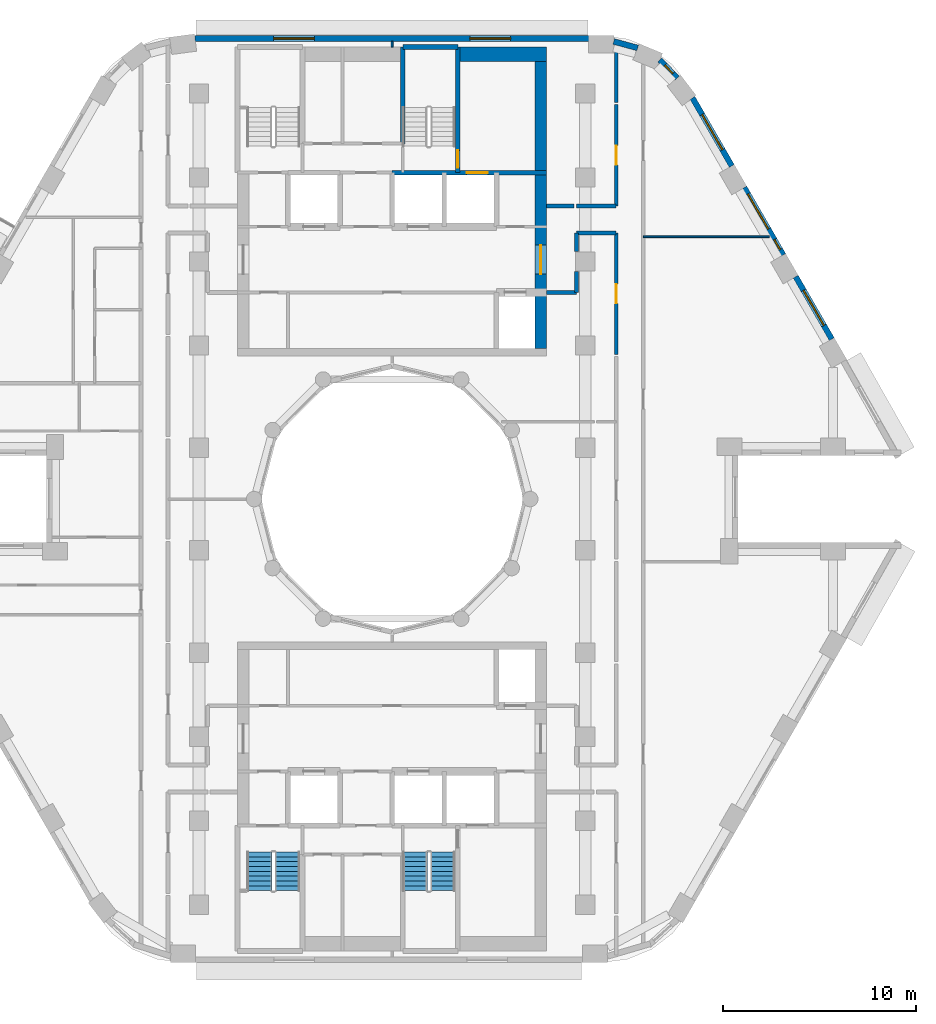
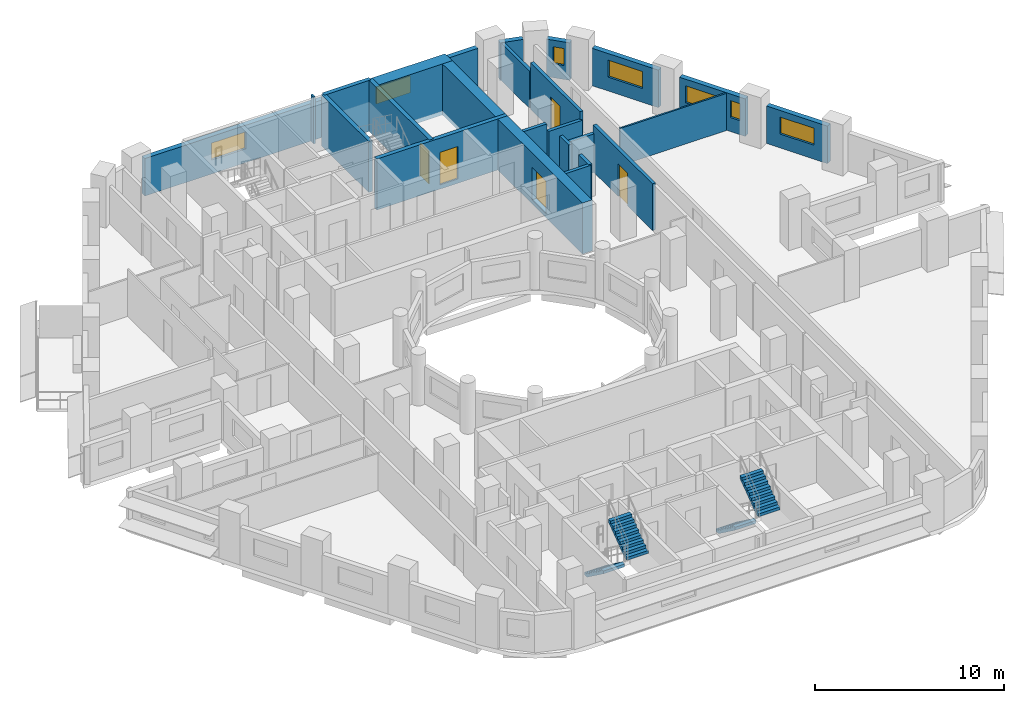
# One storey, part 8 of 13: 23 walls, 7 windows, 5 doors, 4 stair flights, 12 openings, 2 elements without a shape of their own.
"""IFC4 building model written with IfcOpenShell, lengths in metres."""

from ifc_helpers import new_model, si_unit, direction, frame, frame_2d, origin, place, context, subcontext, project, spatial, polyline, rectangle, outline, extrude, material, layer, layer_set, type_object, element, fill, aggregate, save


model = new_model("IFC4")

# Units and contexts
model_context = context("Model", 3, precision=1e-05, world=origin(), true_north=direction((0.0, 1.0)))
body_context = subcontext(model_context, "Body", "Model", "MODEL_VIEW")
ifc_project = project(units=[si_unit("LENGTHUNIT", "METRE"), si_unit("AREAUNIT", "SQUARE_METRE"), si_unit("VOLUMEUNIT", "CUBIC_METRE"), si_unit("PLANEANGLEUNIT", "RADIAN"), si_unit("MASSUNIT", "GRAM", prefix="KILO")], contexts=[model_context])

# Site, building, storey
site_placement = place(None, origin())
site = spatial("IfcSite", under=ifc_project, at=site_placement, CompositionType="ELEMENT")
building_placement = place(site_placement, origin())
building = spatial("IfcBuilding", under=site, at=building_placement, Name="Nakaniwa Court", CompositionType="ELEMENT")
storey_placement = place(building_placement, frame((0.0, 0.0, 130.5)))
storey = spatial("IfcBuildingStorey", under=building, at=storey_placement, Name="L33", CompositionType="ELEMENT", Elevation=130.5)

# Wall, opening, door
ifc_material_1 = material(Name="Acoustic double stud partition")
ifc_layer_1 = layer(ifc_material_1, 0.199951171875)
ifc_layer_set_1 = layer_set([ifc_layer_1], Name="Acoustic double stud partition")
wall_type_1 = type_object("IfcWallType", Name="Acoustic double stud partition 200", PredefinedType="PARTITIONING", material=ifc_layer_set_1)
wall_1_placement = place(storey_placement, frame((91.60009765625, 87.4873046875, 0.0), z_axis=(0.0, 0.0, 1.0), x_axis=(0.0, 1.0, 0.0)))
wall_1 = element("IfcWall", 1, at=wall_1_placement, inside=storey, type_object=wall_type_1, Name="Partition PW-070", PredefinedType="PARTITIONING", context=body_context, shape_type="SweptSolid", body=[
    extrude(rectangle(XDim=6.28759765625, YDim=0.199951171875, at=frame_2d((3.143798828125, 0.0))), origin(), (0.0, 0.0, 1.0), 3.02490234375),
])
opening_1_placement = place(wall_1_placement, frame((2.64501953125, 0.0, 0.0)))
opening_1 = element("IfcOpeningElement", 2, at=opening_1_placement, cuts=wall_1, Name="Opening D-02-11", PredefinedType="OPENING", context=body_context, shape_type="SweptSolid", body=[
    extrude(rectangle(XDim=1.0, YDim=2.10009765625, at=frame_2d((0.5, 1.050048828125))), frame((0.0, 0.10986328125, 0.0), z_axis=(0.0, -1.0, 0.0), x_axis=(1.0, 0.0, 0.0)), (0.0, 0.0, 1.0), 0.219970703125),
])
ifc_material_2 = material(Name="Solid core timber door set, black veneer", Category="wood")
door_type_1 = type_object("IfcDoorType", Name="Internal door 1000", OperationType="NOTDEFINED", PredefinedType="DOOR", material=ifc_material_2)
door_1_placement = place(opening_1_placement, origin())
door_1 = element("IfcDoor", 3, at=door_1_placement, inside=storey, type_object=door_type_1, Name="Door D-02-11 L33-040", OperationType="SINGLE_SWING_LEFT", OverallHeight=2.10009765625, OverallWidth=1.0, PredefinedType="DOOR", context=body_context, shape_type="SweptSolid", body=[
    extrude(rectangle(XDim=1.0, YDim=2.10009765625, at=frame_2d((0.5, 1.050048828125))), frame((0.0, 0.02490234375, 0.0), z_axis=(0.0, -1.0, 0.0), x_axis=(1.0, 0.0, 0.0)), (0.0, 0.0, 1.0), 0.050048828125),
])
fill(opening_1, door_1)

wall_2_placement = place(storey_placement, frame((91.60009765625, 95.175048828125, 0.0), z_axis=(0.0, 0.0, 1.0), x_axis=(0.0, 1.0, 0.0)))
wall_2 = element("IfcWall", 4, at=wall_2_placement, inside=storey, type_object=wall_type_1, Name="Partition PW-071", PredefinedType="PARTITIONING", context=body_context, shape_type="SweptSolid", body=[
    extrude(rectangle(XDim=5.247802734375, YDim=0.199951171875, at=frame_2d((2.6240234375, 0.0))), origin(), (0.0, 0.0, 1.0), 3.02490234375),
])
opening_2_placement = place(wall_2_placement, frame((2.123046875, 0.0, 0.0)))
opening_2 = element("IfcOpeningElement", 5, at=opening_2_placement, cuts=wall_2, Name="Opening D-02-12", PredefinedType="OPENING", context=body_context, shape_type="SweptSolid", body=[
    extrude(rectangle(XDim=1.0, YDim=2.10009765625, at=frame_2d((0.5, 1.050048828125))), frame((0.0, 0.10986328125, 0.0), z_axis=(0.0, -1.0, 0.0), x_axis=(1.0, 0.0, 0.0)), (0.0, 0.0, 1.0), 0.219970703125),
])
door_2_placement = place(opening_2_placement, origin())
door_2 = element("IfcDoor", 6, at=door_2_placement, inside=storey, type_object=door_type_1, Name="Door D-02-12 L33-041", OperationType="SINGLE_SWING_RIGHT", OverallHeight=2.10009765625, OverallWidth=1.0, PredefinedType="DOOR", context=body_context, shape_type="SweptSolid", body=[
    extrude(rectangle(XDim=1.0, YDim=2.10009765625, at=frame_2d((0.5, 1.050048828125))), frame((0.0, 0.02490234375, 0.0), z_axis=(0.0, -1.0, 0.0), x_axis=(1.0, 0.0, 0.0)), (0.0, 0.0, 1.0), 0.050048828125),
])
fill(opening_2, door_2)

# Walls
wall_3_placement = place(storey_placement, frame((91.60009765625, 100.537109375, 0.0), z_axis=(0.0, 0.0, 1.0), x_axis=(0.0, 1.0, 0.0)))
element("IfcWall", 7, at=wall_3_placement, inside=storey, type_object=wall_type_1, Name="Partition PW-072", PredefinedType="PARTITIONING", context=body_context, shape_type="SweptSolid", body=[
    extrude(rectangle(XDim=3.06201171875, YDim=0.199951171875, at=frame_2d((1.531005859375, 0.0))), origin(), (0.0, 0.0, 1.0), 2.405029296875),
])
wall_4_placement = place(storey_placement, frame((89.550048828125, 90.699951171875, 0.0), z_axis=(0.0, 0.0, 1.0), x_axis=(0.0, 1.0, 0.0)))
element("IfcWall", 8, at=wall_4_placement, inside=storey, type_object=wall_type_1, Name="Partition PW-082", PredefinedType="PARTITIONING", context=body_context, shape_type="SweptSolid", body=[
    extrude(rectangle(XDim=1.082763671875, YDim=0.199951171875, at=frame_2d((0.54150390625, 0.0))), origin(), (0.0, 0.0, 1.0), 3.02490234375),
])
wall_5_placement = place(storey_placement, frame((89.550048828125, 92.817138671875, 0.0), z_axis=(0.0, 0.0, 1.0), x_axis=(0.0, 1.0, 0.0)))
element("IfcWall", 9, at=wall_5_placement, inside=storey, type_object=wall_type_1, Name="Partition PW-083", PredefinedType="PARTITIONING", context=body_context, shape_type="SweptSolid", body=[
    extrude(rectangle(XDim=0.957763671875, YDim=0.199951171875, at=frame_2d((0.47900390625, 0.0))), origin(), (0.0, 0.0, 1.0), 3.02490234375),
])
wall_6_placement = place(storey_placement, frame((89.550048828125, 93.77490234375, 0.0), z_axis=(0.0, 0.0, 1.0), x_axis=(1.0, 0.0, 0.0)))
element("IfcWall", 10, at=wall_6_placement, inside=storey, type_object=wall_type_1, Name="Partition PW-087", PredefinedType="PARTITIONING", context=body_context, shape_type="SweptSolid", body=[
    extrude(rectangle(XDim=2.050048828125, YDim=0.199951171875, at=frame_2d((1.02490234375, 0.0))), origin(), (0.0, 0.0, 1.0), 2.5048828125),
])
wall_7_placement = place(storey_placement, frame((88.0, 90.699951171875, 0.0), z_axis=(0.0, 0.0, 1.0), x_axis=(1.0, 0.0, 0.0)))
element("IfcWall", 11, at=wall_7_placement, inside=storey, type_object=wall_type_1, Name="Partition PW-089", PredefinedType="PARTITIONING", context=body_context, shape_type="SweptSolid", body=[
    extrude(rectangle(XDim=1.550048828125, YDim=0.199951171875, at=frame_2d((0.77490234375, 0.0))), origin(), (0.0, 0.0, 1.0), 3.02490234375),
])
wall_8_placement = place(storey_placement, frame((88.0, 95.175048828125, 0.0), z_axis=(0.0, 0.0, 1.0), x_axis=(1.0, 0.0, 0.0)))
element("IfcWall", 12, at=wall_8_placement, inside=storey, type_object=wall_type_1, Name="Partition PW-092", PredefinedType="PARTITIONING", context=body_context, shape_type="SweptSolid", body=[
    extrude(rectangle(XDim=1.4228515625, YDim=0.199951171875, at=frame_2d((0.71142578125, 0.0))), origin(), (0.0, 0.0, 1.0), 3.02490234375),
])
wall_9_placement = place(storey_placement, frame((89.537109375, 95.175048828125, 0.0), z_axis=(0.0, 0.0, 1.0), x_axis=(1.0, 0.0, 0.0)))
element("IfcWall", 13, at=wall_9_placement, inside=storey, type_object=wall_type_1, Name="Partition PW-093", PredefinedType="PARTITIONING", context=body_context, shape_type="SweptSolid", body=[
    extrude(rectangle(XDim=2.06298828125, YDim=0.199951171875, at=frame_2d((1.031494140625, 0.0))), origin(), (0.0, 0.0, 1.0), 2.5048828125),
])

# Wall, opening, window
ifc_material_3 = material(Name="Charcoal ceramic cladding")
ifc_layer_2 = layer(ifc_material_3, 0.02, Name="Ceramic cladding")
ifc_material_4 = material(Name="Ventilated air cavity")
ifc_layer_3 = layer(ifc_material_4, 0.04, ventilated=True, Name="Ventilated cavity")
ifc_material_5 = material(Name="Mineral wool insulation")
ifc_layer_4 = layer(ifc_material_5, 0.1, Name="Insulation")
ifc_material_6 = material(Name="Cement bonded sheathing board")
ifc_layer_5 = layer(ifc_material_6, 0.012, Name="Sheathing")
ifc_material_7 = material(Name="Cold-formed galvanised stud frame with mineral wool infill")
ifc_layer_6 = layer(ifc_material_7, 0.1, Name="Stud frame")
ifc_material_8 = material(Name="Fire-rated gypsum plasterboard lining")
ifc_layer_7 = layer(ifc_material_8, 0.028, Name="Lining")
ifc_layer_set_2 = layer_set([ifc_layer_2, ifc_layer_3, ifc_layer_4, ifc_layer_5, ifc_layer_6, ifc_layer_7], Name="Charcoal ceramic faced external wall system")
wall_type_2 = type_object("IfcWallType", Name="Black ceramic faced external wall 300", PredefinedType="SOLIDWALL", material=ifc_layer_set_2)
wall_10_placement = place(storey_placement, frame((102.759521484375, 88.279052734375, 0.0), z_axis=(0.0, 0.0, 1.0), x_axis=(-0.499933594891, 0.866063739398, 0.0)))
wall_10 = element("IfcWall", 14, at=wall_10_placement, inside=storey, type_object=wall_type_2, Name="L33 external wall 03", PredefinedType="SOLIDWALL", context=body_context, shape_type="SweptSolid", body=[
    extrude(rectangle(XDim=3.73681640625, YDim=0.300048828125, at=frame_2d((1.868408203125, 0.0))), origin(), (0.0, 0.0, 1.0), 2.425048828125),
])
opening_3_placement = place(wall_10_placement, frame((0.818359375, 0.0, 0.89990234375)))
opening_3 = element("IfcOpeningElement", 15, at=opening_3_placement, cuts=wall_10, Name="Opening W7.04", PredefinedType="OPENING", context=body_context, shape_type="SweptSolid", body=[
    extrude(rectangle(XDim=2.10009765625, YDim=1.10009765625, at=frame_2d((1.050048828125, 0.550048828125))), frame((0.0, 0.159912109375, 0.0), z_axis=(0.0, -1.0, 0.0), x_axis=(1.0, 0.0, 0.0)), (0.0, 0.0, 1.0), 0.320068359375),
])
ifc_material_9 = material(Name="Black anodised aluminium frame with dark low-E laminated double glazing", Category="aluminium")
window_type_1 = type_object("IfcWindowType", Name="Dark glass window 2100x1100 sill 900", PartitioningType="SINGLE_PANEL", PredefinedType="WINDOW", material=ifc_material_9)
window_1_placement = place(opening_3_placement, origin())
window_1 = element("IfcWindow", 16, at=window_1_placement, inside=storey, type_object=window_type_1, Name="L33 habitable room window 03-0", OverallHeight=1.10009765625, OverallWidth=2.10009765625, PartitioningType="SINGLE_PANEL", PredefinedType="WINDOW", context=body_context, shape_type="SweptSolid", body=[
    extrude(rectangle(XDim=2.10009765625, YDim=1.10009765625, at=frame_2d((1.050048828125, 0.550048828125))), frame((0.0, 0.030029296875, 0.0), z_axis=(0.0, -1.0, 0.0), x_axis=(1.0, 0.0, 0.0)), (0.0, 0.0, 1.0), 0.06005859375),
])
fill(opening_3, window_1)

# Wall, openings, windows
wall_11_placement = place(storey_placement, frame((100.245361328125, 92.63427734375, 0.0), z_axis=(0.0, 0.0, 1.0), x_axis=(-0.500031546601, 0.86600718958, 0.0)))
wall_11 = element("IfcWall", 17, at=wall_11_placement, inside=storey, type_object=wall_type_2, Name="L33 external wall 04", PredefinedType="SOLIDWALL", context=body_context, shape_type="SweptSolid", body=[
    extrude(rectangle(XDim=4.033935546875, YDim=0.300048828125, at=frame_2d((2.01708984375, 0.0))), origin(), (0.0, 0.0, 1.0), 2.425048828125),
])
opening_4_placement = place(wall_11_placement, frame((0.322021484375, 0.0, 0.89990234375)))
opening_4 = element("IfcOpeningElement", 18, at=opening_4_placement, cuts=wall_11, Name="Opening W8.05", PredefinedType="OPENING", context=body_context, shape_type="SweptSolid", body=[
    extrude(rectangle(XDim=0.60009765625, YDim=1.10009765625, at=frame_2d((0.300048828125, 0.550048828125))), frame((0.0, 0.159912109375, 0.0), z_axis=(0.0, -1.0, 0.0), x_axis=(1.0, 0.0, 0.0)), (0.0, 0.0, 1.0), 0.320068359375),
])
opening_5_placement = place(wall_11_placement, frame((1.552001953125, 0.0, 0.89990234375)))
opening_5 = element("IfcOpeningElement", 19, at=opening_5_placement, cuts=wall_11, Name="Opening W7.06", PredefinedType="OPENING", context=body_context, shape_type="SweptSolid", body=[
    extrude(rectangle(XDim=2.10009765625, YDim=1.10009765625, at=frame_2d((1.050048828125, 0.550048828125))), frame((0.0, 0.159912109375, 0.0), z_axis=(0.0, -1.0, 0.0), x_axis=(1.0, 0.0, 0.0)), (0.0, 0.0, 1.0), 0.320068359375),
])
window_2_placement = place(opening_5_placement, origin())
window_2 = element("IfcWindow", 20, at=window_2_placement, inside=storey, type_object=window_type_1, Name="L33 habitable room window 04-1", OverallHeight=1.10009765625, OverallWidth=2.10009765625, PartitioningType="SINGLE_PANEL", PredefinedType="WINDOW", context=body_context, shape_type="SweptSolid", body=[
    extrude(rectangle(XDim=2.10009765625, YDim=1.10009765625, at=frame_2d((1.050048828125, 0.550048828125))), frame((0.0, 0.030029296875, 0.0), z_axis=(0.0, -1.0, 0.0), x_axis=(1.0, 0.0, 0.0)), (0.0, 0.0, 1.0), 0.06005859375),
])
fill(opening_5, window_2)
window_type_2 = type_object("IfcWindowType", Name="Dark glass window 600x1100 sill 900", PartitioningType="SINGLE_PANEL", PredefinedType="WINDOW", material=ifc_material_9)
window_3_placement = place(opening_4_placement, origin())
window_3 = element("IfcWindow", 21, at=window_3_placement, inside=storey, type_object=window_type_2, Name="L33 habitable room window 04-0", OverallHeight=1.10009765625, OverallWidth=0.60009765625, PartitioningType="SINGLE_PANEL", PredefinedType="WINDOW", context=body_context, shape_type="SweptSolid", body=[
    extrude(rectangle(XDim=0.60009765625, YDim=1.10009765625, at=frame_2d((0.300048828125, 0.550048828125))), frame((0.0, 0.030029296875, 0.0), z_axis=(0.0, -1.0, 0.0), x_axis=(1.0, 0.0, 0.0)), (0.0, 0.0, 1.0), 0.06005859375),
])
fill(opening_4, window_3)

# Wall, opening, window
wall_12_placement = place(storey_placement, frame((97.582275390625, 97.24658203125, 0.0), z_axis=(0.0, 0.0, 1.0), x_axis=(-0.500018589245, 0.866014671013, 0.0)))
wall_12 = element("IfcWall", 22, at=wall_12_placement, inside=storey, type_object=wall_type_2, Name="L33 external wall 05", PredefinedType="SOLIDWALL", context=body_context, shape_type="SweptSolid", body=[
    extrude(rectangle(XDim=4.067626953125, YDim=0.300048828125, at=frame_2d((2.03369140625, 0.0))), origin(), (0.0, 0.0, 1.0), 2.425048828125),
])
opening_6_placement = place(wall_12_placement, frame((0.97265625, 0.0, 0.89990234375)))
opening_6 = element("IfcOpeningElement", 23, at=opening_6_placement, cuts=wall_12, Name="Opening W7.07", PredefinedType="OPENING", context=body_context, shape_type="SweptSolid", body=[
    extrude(rectangle(XDim=2.10009765625, YDim=1.10009765625, at=frame_2d((1.050048828125, 0.550048828125))), frame((0.0, 0.159912109375, 0.0), z_axis=(0.0, -1.0, 0.0), x_axis=(1.0, 0.0, 0.0)), (0.0, 0.0, 1.0), 0.320068359375),
])
window_4_placement = place(opening_6_placement, origin())
window_4 = element("IfcWindow", 24, at=window_4_placement, inside=storey, type_object=window_type_1, Name="L33 habitable room window 05-0", OverallHeight=1.10009765625, OverallWidth=2.10009765625, PartitioningType="SINGLE_PANEL", PredefinedType="WINDOW", context=body_context, shape_type="SweptSolid", body=[
    extrude(rectangle(XDim=2.10009765625, YDim=1.10009765625, at=frame_2d((1.050048828125, 0.550048828125))), frame((0.0, 0.030029296875, 0.0), z_axis=(0.0, -1.0, 0.0), x_axis=(1.0, 0.0, 0.0)), (0.0, 0.0, 1.0), 0.06005859375),
])
fill(opening_6, window_4)

wall_13_placement = place(storey_placement, frame((94.76318359375, 101.79541015625, 0.0), z_axis=(0.0, 0.0, 1.0), x_axis=(-0.697598997785, 0.716488407645, 0.0)))
wall_13 = element("IfcWall", 25, at=wall_13_placement, inside=storey, type_object=wall_type_2, Name="L33 external wall 06", PredefinedType="SOLIDWALL", context=body_context, shape_type="SweptSolid", body=[
    extrude(rectangle(XDim=1.305419921875, YDim=0.300048828125, at=frame_2d((0.65283203125, 0.0))), origin(), (0.0, 0.0, 1.0), 2.425048828125),
])
opening_7_placement = place(wall_13_placement, frame((0.328125, 0.0, 0.89990234375)))
opening_7 = element("IfcOpeningElement", 26, at=opening_7_placement, cuts=wall_13, Name="Opening W8.08", PredefinedType="OPENING", context=body_context, shape_type="SweptSolid", body=[
    extrude(rectangle(XDim=0.60009765625, YDim=1.10009765625, at=frame_2d((0.300048828125, 0.550048828125))), frame((0.0, 0.159912109375, 0.0), z_axis=(0.0, -1.0, 0.0), x_axis=(1.0, 0.0, 0.0)), (0.0, 0.0, 1.0), 0.320068359375),
])
window_5_placement = place(opening_7_placement, origin())
window_5 = element("IfcWindow", 27, at=window_5_placement, inside=storey, type_object=window_type_2, Name="L33 habitable room window 06-0", OverallHeight=1.10009765625, OverallWidth=0.60009765625, PartitioningType="SINGLE_PANEL", PredefinedType="WINDOW", context=body_context, shape_type="SweptSolid", body=[
    extrude(rectangle(XDim=0.60009765625, YDim=1.10009765625, at=frame_2d((0.300048828125, 0.550048828125))), frame((0.0, 0.030029296875, 0.0), z_axis=(0.0, -1.0, 0.0), x_axis=(1.0, 0.0, 0.0)), (0.0, 0.0, 1.0), 0.06005859375),
])
fill(opening_7, window_5)

# Wall
wall_14_placement = place(storey_placement, frame((92.712890625, 103.3564453125, 0.0), z_axis=(0.0, 0.0, 1.0), x_axis=(-0.965274225809, 0.26123872031, 0.0)))
element("IfcWall", 28, at=wall_14_placement, inside=storey, type_object=wall_type_2, Name="L33 external wall 07", PredefinedType="SOLIDWALL", context=body_context, shape_type="SweptSolid", body=[
    extrude(rectangle(XDim=1.286865234375, YDim=0.300048828125, at=frame_2d((0.6435546875, 0.0))), origin(), (0.0, 0.0, 1.0), 2.425048828125),
])

# Wall, openings, windows
wall_15_placement = place(storey_placement, frame((90.1787109375, 103.85009765625, 0.0), z_axis=(0.0, 0.0, 1.0), x_axis=(-1.0, 0.0, 0.0)))
wall_15 = element("IfcWall", 29, at=wall_15_placement, inside=storey, type_object=wall_type_2, Name="L33 external wall 08", PredefinedType="SOLIDWALL", context=body_context, shape_type="SweptSolid", body=[
    extrude(rectangle(XDim=20.391357421875, YDim=0.300048828125, at=frame_2d((10.19580078125, 0.0))), origin(), (0.0, 0.0, 1.0), 2.425048828125),
])
opening_8_placement = place(wall_15_placement, frame((4.05126953125, 0.0, 0.89990234375)))
opening_8 = element("IfcOpeningElement", 30, at=opening_8_placement, cuts=wall_15, Name="Opening W7.09", PredefinedType="OPENING", context=body_context, shape_type="SweptSolid", body=[
    extrude(rectangle(XDim=2.10009765625, YDim=1.10009765625, at=frame_2d((1.050048828125, 0.550048828125))), frame((0.0, 0.159912109375, 0.0), z_axis=(0.0, -1.0, 0.0), x_axis=(1.0, 0.0, 0.0)), (0.0, 0.0, 1.0), 0.320068359375),
])
opening_9_placement = place(wall_15_placement, frame((14.211669921875, 0.0, 0.89990234375)))
opening_9 = element("IfcOpeningElement", 31, at=opening_9_placement, cuts=wall_15, Name="Opening W7.10", PredefinedType="OPENING", context=body_context, shape_type="SweptSolid", body=[
    extrude(rectangle(XDim=2.10009765625, YDim=1.10009765625, at=frame_2d((1.050048828125, 0.550048828125))), frame((0.0, 0.159912109375, 0.0), z_axis=(0.0, -1.0, 0.0), x_axis=(1.0, 0.0, 0.0)), (0.0, 0.0, 1.0), 0.320068359375),
])
window_6_placement = place(opening_8_placement, origin())
window_6 = element("IfcWindow", 32, at=window_6_placement, inside=storey, type_object=window_type_1, Name="L33 habitable room window 08-0", OverallHeight=1.10009765625, OverallWidth=2.10009765625, PartitioningType="SINGLE_PANEL", PredefinedType="WINDOW", context=body_context, shape_type="SweptSolid", body=[
    extrude(rectangle(XDim=2.10009765625, YDim=1.10009765625, at=frame_2d((1.050048828125, 0.550048828125))), frame((0.0, 0.030029296875, 0.0), z_axis=(0.0, -1.0, 0.0), x_axis=(1.0, 0.0, 0.0)), (0.0, 0.0, 1.0), 0.06005859375),
])
fill(opening_8, window_6)
window_7_placement = place(opening_9_placement, origin())
window_7 = element("IfcWindow", 33, at=window_7_placement, inside=storey, type_object=window_type_1, Name="L33 habitable room window 08-1", OverallHeight=1.10009765625, OverallWidth=2.10009765625, PartitioningType="SINGLE_PANEL", PredefinedType="WINDOW", context=body_context, shape_type="SweptSolid", body=[
    extrude(rectangle(XDim=2.10009765625, YDim=1.10009765625, at=frame_2d((1.050048828125, 0.550048828125))), frame((0.0, 0.030029296875, 0.0), z_axis=(0.0, -1.0, 0.0), x_axis=(1.0, 0.0, 0.0)), (0.0, 0.0, 1.0), 0.06005859375),
])
fill(opening_9, window_7)

# Wall, opening, door
ifc_material_10 = material(Name="Concrete C80/100", Category="concrete")
ifc_layer_8 = layer(ifc_material_10, 0.60009765625)
ifc_layer_set_3 = layer_set([ifc_layer_8], Name="Concrete C80/100")
wall_type_3 = type_object("IfcWallType", Name="Concrete core side wall 600 C80", PredefinedType="SHEAR", material=ifc_layer_set_3)
wall_16_placement = place(storey_placement, frame((87.699951171875, 103.39990234375, -0.27490234375), z_axis=(0.0, 0.0, 1.0), x_axis=(0.0, -1.0, 0.0)))
wall_16 = element("IfcWall", 34, at=wall_16_placement, inside=storey, type_object=wall_type_3, Name="Core wall SW-07", PredefinedType="SHEAR", context=body_context, shape_type="SweptSolid", body=[
    extrude(rectangle(XDim=15.599853515625, YDim=0.60009765625, at=frame_2d((7.7998046875, 0.0))), origin(), (0.0, 0.0, 1.0), 3.2998046875),
])
opening_10_placement = place(wall_16_placement, frame((10.248046875, 0.0, 0.27490234375)))
opening_10 = element("IfcOpeningElement", 35, at=opening_10_placement, cuts=wall_16, Name="Opening D-07-01", PredefinedType="OPENING", context=body_context, shape_type="SweptSolid", body=[
    extrude(rectangle(XDim=1.5, YDim=2.10009765625, at=frame_2d((0.75, 1.050048828125))), frame((0.0, 0.31005859375, 0.0), z_axis=(0.0, -1.0, 0.0), x_axis=(1.0, 0.0, 0.0)), (0.0, 0.0, 1.0), 0.6201171875),
])
ifc_material_11 = material(Name="Glazed fire rated steel double door set", Category="steel")
door_type_2 = type_object("IfcDoorType", Name="Lobby double door 1500", OperationType="NOTDEFINED", PredefinedType="DOOR", material=ifc_material_11)
door_3_placement = place(opening_10_placement, origin())
door_3 = element("IfcDoor", 36, at=door_3_placement, inside=storey, type_object=door_type_2, Name="Door D-07-01 L33-043", OperationType="DOUBLE_DOOR_SINGLE_SWING", OverallHeight=2.10009765625, OverallWidth=1.5, PredefinedType="DOOR", context=body_context, shape_type="SweptSolid", body=[
    extrude(rectangle(XDim=1.5, YDim=2.10009765625, at=frame_2d((0.75, 1.050048828125))), frame((0.0, 0.02490234375, 0.0), z_axis=(0.0, -1.0, 0.0), x_axis=(1.0, 0.0, 0.0)), (0.0, 0.0, 1.0), 0.050048828125),
])
fill(opening_10, door_3)

# Walls
ifc_layer_9 = layer(ifc_material_10, 0.25)
ifc_layer_set_4 = layer_set([ifc_layer_9], Name="Concrete C80/100")
wall_type_4 = type_object("IfcWallType", Name="Concrete core wall 250 C80", PredefinedType="SHEAR", material=ifc_layer_set_4)
wall_17_placement = place(storey_placement, frame((80.550048828125, 103.39990234375, -0.27490234375), z_axis=(0.0, 0.0, 1.0), x_axis=(1.0, 0.0, 0.0)))
element("IfcWall", 37, at=wall_17_placement, inside=storey, type_object=wall_type_4, Name="Core wall SW-24", PredefinedType="SHEAR", context=body_context, shape_type="SweptSolid", body=[
    extrude(rectangle(XDim=2.849853515625, YDim=0.25, at=frame_2d((1.4248046875, 0.0))), origin(), (0.0, 0.0, 1.0), 3.2998046875),
])
ifc_layer_10 = layer(ifc_material_10, 0.75)
ifc_layer_set_5 = layer_set([ifc_layer_10], Name="Concrete C80/100")
wall_type_5 = type_object("IfcWallType", Name="Concrete core wall 750 C80", PredefinedType="SHEAR", material=ifc_layer_set_5)
wall_18_placement = place(storey_placement, frame((83.39990234375, 103.02490234375, -0.27490234375), z_axis=(0.0, 0.0, 1.0), x_axis=(1.0, 0.0, 0.0)))
element("IfcWall", 38, at=wall_18_placement, inside=storey, type_object=wall_type_5, Name="Core wall SW-30", PredefinedType="SHEAR", context=body_context, shape_type="SweptSolid", body=[
    extrude(rectangle(XDim=4.60009765625, YDim=0.75, at=frame_2d((2.300048828125, 0.0))), origin(), (0.0, 0.0, 1.0), 3.2998046875),
])

# Wall, opening, door
ifc_layer_11 = layer(ifc_material_10, 0.25)
ifc_layer_set_6 = layer_set([ifc_layer_11], Name="Concrete C80/100")
wall_type_6 = type_object("IfcWallType", Name="Concrete shaft wall 250 C80", PredefinedType="SHEAR", material=ifc_layer_set_6)
wall_19_placement = place(storey_placement, frame((80.0, 96.89990234375, -0.27490234375), z_axis=(0.0, 0.0, 1.0), x_axis=(1.0, 0.0, 0.0)))
wall_19 = element("IfcWall", 39, at=wall_19_placement, inside=storey, type_object=wall_type_6, Name="Core wall SW-17", PredefinedType="SHEAR", context=body_context, shape_type="SweptSolid", body=[
    extrude(rectangle(XDim=8.0, YDim=0.25, at=frame_2d((4.0, 0.0))), origin(), (0.0, 0.0, 1.0), 3.2998046875),
])
opening_11_placement = place(wall_19_placement, frame((3.84912109375, 0.0, 0.27490234375)))
opening_11 = element("IfcOpeningElement", 40, at=opening_11_placement, cuts=wall_19, Name="Opening LD04", PredefinedType="OPENING", context=body_context, shape_type="SweptSolid", body=[
    extrude(rectangle(XDim=1.10009765625, YDim=2.10009765625, at=frame_2d((0.550048828125, 1.050048828125))), frame((0.0, 0.135009765625, 0.0), z_axis=(0.0, -1.0, 0.0), x_axis=(1.0, 0.0, 0.0)), (0.0, 0.0, 1.0), 0.27001953125),
])
ifc_material_12 = material(Name="Stainless steel sliding lift landing door", Category="steel")
door_type_3 = type_object("IfcDoorType", Name="Lift landing door 1100", OperationType="NOTDEFINED", PredefinedType="DOOR", material=ifc_material_12)
door_4_placement = place(opening_11_placement, origin())
door_4 = element("IfcDoor", 41, at=door_4_placement, inside=storey, type_object=door_type_3, Name="Lift landing door LD04 L33-004", OperationType="SLIDING_TO_LEFT", OverallHeight=2.10009765625, OverallWidth=1.10009765625, PredefinedType="DOOR", context=body_context, shape_type="SweptSolid", body=[
    extrude(rectangle(XDim=1.10009765625, YDim=2.10009765625, at=frame_2d((0.550048828125, 1.050048828125))), frame((0.0, 0.02490234375, 0.0), z_axis=(0.0, -1.0, 0.0), x_axis=(1.0, 0.0, 0.0)), (0.0, 0.0, 1.0), 0.050048828125),
])
fill(opening_11, door_4)

wall_20_placement = place(storey_placement, frame((83.39990234375, 103.39990234375, -0.27490234375), z_axis=(0.0, 0.0, 1.0), x_axis=(0.0, -1.0, 0.0)))
wall_20 = element("IfcWall", 42, at=wall_20_placement, inside=storey, type_object=wall_type_6, Name="Core wall SW-26", PredefinedType="SHEAR", context=body_context, shape_type="SweptSolid", body=[
    extrude(rectangle(XDim=6.5, YDim=0.25, at=frame_2d((3.25, 0.0))), origin(), (0.0, 0.0, 1.0), 3.2998046875),
])
opening_12_placement = place(wall_20_placement, frame((5.35009765625, 0.0, 0.27490234375)))
opening_12 = element("IfcOpeningElement", 43, at=opening_12_placement, cuts=wall_20, Name="Opening D-11-01", PredefinedType="OPENING", context=body_context, shape_type="SweptSolid", body=[
    extrude(rectangle(XDim=0.89990234375, YDim=2.10009765625, at=frame_2d((0.449951171875, 1.050048828125))), frame((0.0, 0.135009765625, 0.0), z_axis=(0.0, -1.0, 0.0), x_axis=(1.0, 0.0, 0.0)), (0.0, 0.0, 1.0), 0.27001953125),
])
ifc_material_13 = material(Name="Fire rated steel door set", Category="steel")
door_type_4 = type_object("IfcDoorType", Name="Stair door 900", OperationType="NOTDEFINED", PredefinedType="DOOR", material=ifc_material_13)
door_5_placement = place(opening_12_placement, origin())
door_5 = element("IfcDoor", 44, at=door_5_placement, inside=storey, type_object=door_type_4, Name="Door D-11-01 L33-010", OperationType="SINGLE_SWING_RIGHT", OverallHeight=2.10009765625, OverallWidth=0.89990234375, PredefinedType="DOOR", context=body_context, shape_type="SweptSolid", body=[
    extrude(rectangle(XDim=0.89990234375, YDim=2.10009765625, at=frame_2d((0.449951171875, 1.050048828125))), frame((0.0, 0.02490234375, 0.0), z_axis=(0.0, -1.0, 0.0), x_axis=(1.0, 0.0, 0.0)), (0.0, 0.0, 1.0), 0.050048828125),
])
fill(opening_12, door_5)

# Walls
wall_21_placement = place(storey_placement, frame((80.550048828125, 98.39697265625, -0.27490234375), z_axis=(0.0, 0.0, 1.0), x_axis=(0.0, 1.0, 0.0)))
element("IfcWall", 45, at=wall_21_placement, inside=storey, type_object=wall_type_6, Name="Core wall SW-28", PredefinedType="SHEAR", context=body_context, shape_type="SweptSolid", body=[
    extrude(rectangle(XDim=5.0029296875, YDim=0.25, at=frame_2d((2.50146484375, 0.0))), origin(), (0.0, 0.0, 1.0), 3.2998046875),
])
ifc_material_14 = material(Name="Single stud plasterboard partition")
ifc_layer_12 = layer(ifc_material_14, 0.10009765625)
ifc_layer_set_7 = layer_set([ifc_layer_12], Name="Single stud plasterboard partition")
wall_type_7 = type_object("IfcWallType", Name="Single stud plasterboard partition 100", PredefinedType="PARTITIONING", material=ifc_layer_set_7)
wall_22_placement = place(storey_placement, frame((80.0, 103.39990234375, 0.0), z_axis=(0.0, 0.0, 1.0), x_axis=(0.0, 1.0, 0.0)))
element("IfcWall", 46, at=wall_22_placement, inside=storey, type_object=wall_type_7, Name="Partition PW-111", PredefinedType="PARTITIONING", context=body_context, shape_type="SweptSolid", body=[
    extrude(rectangle(XDim=0.300048828125, YDim=0.10009765625, at=frame_2d((0.14990234375, 0.0))), origin(), (0.0, 0.0, 1.0), 3.02490234375),
])
wall_23_placement = place(storey_placement, frame((93.0009765625, 93.5830078125, 0.0), z_axis=(0.0, 0.0, 1.0), x_axis=(1.0, 0.0, 0.0)))
element("IfcWall", 47, at=wall_23_placement, inside=storey, type_object=wall_type_7, Name="Partition PW-115", PredefinedType="PARTITIONING", context=body_context, shape_type="SweptSolid", body=[
    extrude(rectangle(XDim=6.523193359375, YDim=0.10009765625, at=frame_2d((3.26171875, 0.0))), origin(), (0.0, 0.0, 1.0), 2.405029296875),
])

# Stair, stair flights
stair_type = type_object("IfcStairType", Name="Dog leg stair 1300 wide 18 risers", PredefinedType="HALF_TURN_STAIR", material=ifc_material_10)
stair_1_placement = place(storey_placement, origin())
stair_1 = element("IfcStair", 48, at=stair_1_placement, inside=storey, type_object=stair_type, Name="L33 Stair ST3", PredefinedType="HALF_TURN_STAIR")
stair_flight_type = type_object("IfcStairFlightType", Name="Stair flight 1300 wide 9 risers", PredefinedType="STRAIGHT", material=ifc_material_10)
stair_flight_1_placement = place(storey_placement, frame((73.125, 61.72509765625, 0.0), z_axis=(0.0, 0.0, 1.0), x_axis=(0.0, -1.0, 0.0)))
stair_flight_1 = element("IfcStairFlight", 49, at=stair_flight_1_placement, type_object=stair_flight_type, Name="ST3 flight 1", NumberOfRisers=9, NumberOfTreads=8, PredefinedType="STRAIGHT", RiserHeight=0.183333333, TreadLength=0.25, context=body_context, shape_type="SweptSolid", body=[
    extrude(outline(polyline([(0.0, 0.0), (0.0, 0.026123046875), (0.0, 0.052490234375), (0.0, 0.07861328125), (0.0, 0.104736328125), (0.0, 0.130859375), (0.0, 0.1572265625), (0.0, 0.183349609375), (0.25, 0.183349609375), (0.25, 0.36669921875), (0.5, 0.36669921875), (0.5, 0.550048828125), (0.75, 0.550048828125), (0.75, 0.7333984375), (1.0, 0.7333984375), (1.0, 0.916748046875), (1.25, 0.916748046875), (1.25, 1.10009765625), (1.5, 1.10009765625), (1.5, 1.283447265625), (1.75, 1.283447265625), (1.75, 1.466552734375), (2.0, 1.466552734375), (2.0, 1.64990234375), (2.0, 1.59716796875), (2.0, 1.54443359375), (2.0, 1.49169921875), (2.0, 1.43896484375), (2.0, 1.38623046875), (2.0, 1.33349609375), (2.0, 1.28076171875), (0.25341796875, 0.0), (0.0, 0.0)])), frame((0.0, 0.64990234375, 0.0), z_axis=(0.0, -1.0, 0.0), x_axis=(1.0, 0.0, 0.0)), (0.0, 0.0, 1.0), 1.300048828125),
])
stair_flight_2_placement = place(storey_placement, frame((74.574951171875, 59.72509765625, 1.64990234375), z_axis=(0.0, 0.0, 1.0), x_axis=(0.0, 1.0, 0.0)))
stair_flight_2 = element("IfcStairFlight", 50, at=stair_flight_2_placement, type_object=stair_flight_type, Name="ST3 flight 2", NumberOfRisers=9, NumberOfTreads=8, PredefinedType="STRAIGHT", RiserHeight=0.183333333, TreadLength=0.25, context=body_context, shape_type="SweptSolid", body=[
    extrude(outline(polyline([(0.0, 0.0), (0.0, 0.026123046875), (0.0, 0.052490234375), (0.0, 0.07861328125), (0.0, 0.104736328125), (0.0, 0.130859375), (0.0, 0.1572265625), (0.0, 0.183349609375), (0.25, 0.183349609375), (0.25, 0.36669921875), (0.5, 0.36669921875), (0.5, 0.550048828125), (0.75, 0.550048828125), (0.75, 0.7333984375), (1.0, 0.7333984375), (1.0, 0.916748046875), (1.25, 0.916748046875), (1.25, 1.10009765625), (1.5, 1.10009765625), (1.5, 1.283447265625), (1.75, 1.283447265625), (1.75, 1.466552734375), (2.0, 1.466552734375), (2.0, 1.64990234375), (2.0, 1.59716796875), (2.0, 1.54443359375), (2.0, 1.49169921875), (2.0, 1.43896484375), (2.0, 1.38623046875), (2.0, 1.33349609375), (2.0, 1.28076171875), (0.25341796875, 0.0), (0.0, 0.0)])), frame((0.0, 0.64990234375, 0.0), z_axis=(0.0, -1.0, 0.0), x_axis=(1.0, 0.0, 0.0)), (0.0, 0.0, 1.0), 1.300048828125),
])
aggregate(stair_1, [stair_flight_1, stair_flight_2])

stair_2_placement = place(storey_placement, origin())
stair_2 = element("IfcStair", 51, at=stair_2_placement, inside=storey, type_object=stair_type, Name="L33 Stair ST4", PredefinedType="HALF_TURN_STAIR")
stair_flight_3_placement = place(storey_placement, frame((81.175048828125, 61.72509765625, 0.0), z_axis=(0.0, 0.0, 1.0), x_axis=(0.0, -1.0, 0.0)))
stair_flight_3 = element("IfcStairFlight", 52, at=stair_flight_3_placement, type_object=stair_flight_type, Name="ST4 flight 1", NumberOfRisers=9, NumberOfTreads=8, PredefinedType="STRAIGHT", RiserHeight=0.183333333, TreadLength=0.25, context=body_context, shape_type="SweptSolid", body=[
    extrude(outline(polyline([(0.0, 0.0), (0.0, 0.026123046875), (0.0, 0.052490234375), (0.0, 0.07861328125), (0.0, 0.104736328125), (0.0, 0.130859375), (0.0, 0.1572265625), (0.0, 0.183349609375), (0.25, 0.183349609375), (0.25, 0.36669921875), (0.5, 0.36669921875), (0.5, 0.550048828125), (0.75, 0.550048828125), (0.75, 0.7333984375), (1.0, 0.7333984375), (1.0, 0.916748046875), (1.25, 0.916748046875), (1.25, 1.10009765625), (1.5, 1.10009765625), (1.5, 1.283447265625), (1.75, 1.283447265625), (1.75, 1.466552734375), (2.0, 1.466552734375), (2.0, 1.64990234375), (2.0, 1.59716796875), (2.0, 1.54443359375), (2.0, 1.49169921875), (2.0, 1.43896484375), (2.0, 1.38623046875), (2.0, 1.33349609375), (2.0, 1.28076171875), (0.25341796875, 0.0), (0.0, 0.0)])), frame((0.0, 0.64990234375, 0.0), z_axis=(0.0, -1.0, 0.0), x_axis=(1.0, 0.0, 0.0)), (0.0, 0.0, 1.0), 1.300048828125),
])
stair_flight_4_placement = place(storey_placement, frame((82.625, 59.72509765625, 1.64990234375), z_axis=(0.0, 0.0, 1.0), x_axis=(0.0, 1.0, 0.0)))
stair_flight_4 = element("IfcStairFlight", 53, at=stair_flight_4_placement, type_object=stair_flight_type, Name="ST4 flight 2", NumberOfRisers=9, NumberOfTreads=8, PredefinedType="STRAIGHT", RiserHeight=0.183333333, TreadLength=0.25, context=body_context, shape_type="SweptSolid", body=[
    extrude(outline(polyline([(0.0, 0.0), (0.0, 0.026123046875), (0.0, 0.052490234375), (0.0, 0.07861328125), (0.0, 0.104736328125), (0.0, 0.130859375), (0.0, 0.1572265625), (0.0, 0.183349609375), (0.25, 0.183349609375), (0.25, 0.36669921875), (0.5, 0.36669921875), (0.5, 0.550048828125), (0.75, 0.550048828125), (0.75, 0.7333984375), (1.0, 0.7333984375), (1.0, 0.916748046875), (1.25, 0.916748046875), (1.25, 1.10009765625), (1.5, 1.10009765625), (1.5, 1.283447265625), (1.75, 1.283447265625), (1.75, 1.466552734375), (2.0, 1.466552734375), (2.0, 1.64990234375), (2.0, 1.59716796875), (2.0, 1.54443359375), (2.0, 1.49169921875), (2.0, 1.43896484375), (2.0, 1.38623046875), (2.0, 1.33349609375), (2.0, 1.28076171875), (0.25341796875, 0.0), (0.0, 0.0)])), frame((0.0, 0.64990234375, 0.0), z_axis=(0.0, -1.0, 0.0), x_axis=(1.0, 0.0, 0.0)), (0.0, 0.0, 1.0), 1.300048828125),
])
aggregate(stair_2, [stair_flight_3, stair_flight_4])

save(model, "model.ifc")
